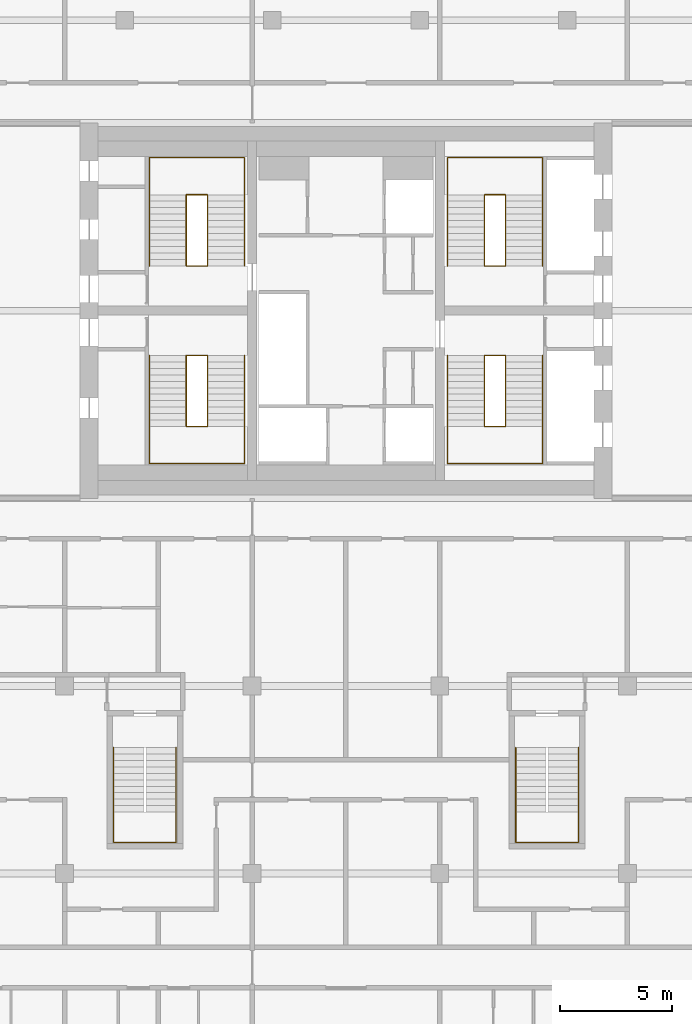
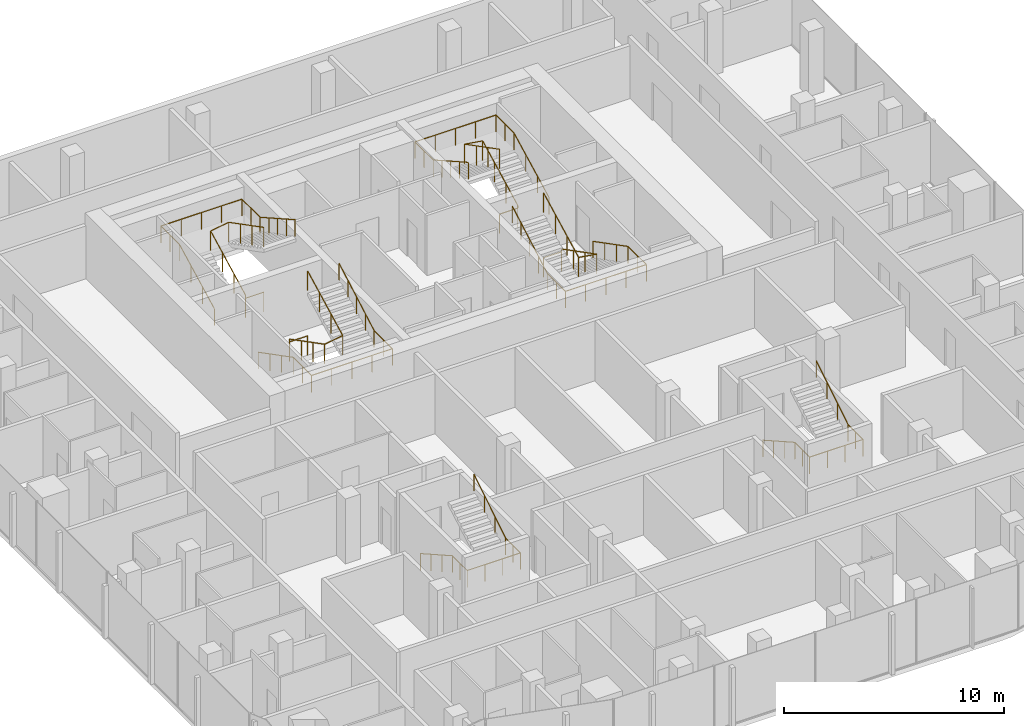
# One storey, part 22 of 22: 10 railings.
"""IFC4 building model written with IfcOpenShell, lengths in metres."""

from ifc_helpers import new_model, si_unit, direction, frame, origin, origin_2d, place, context, subcontext, project, spatial, circle, extrude, material, type_object, element, save


model = new_model("IFC4")

# Units and contexts
model_context = context("Model", 3, precision=1e-05, world=origin(), true_north=direction((0.0, 1.0)))
body_context = subcontext(model_context, "Body", "Model", "MODEL_VIEW")
ifc_project = project(units=[si_unit("LENGTHUNIT", "METRE"), si_unit("AREAUNIT", "SQUARE_METRE"), si_unit("VOLUMEUNIT", "CUBIC_METRE"), si_unit("PLANEANGLEUNIT", "RADIAN"), si_unit("MASSUNIT", "GRAM", prefix="KILO")], contexts=[model_context])

# Site, building, storey
site_placement = place(None, origin())
site = spatial("IfcSite", under=ifc_project, at=site_placement, CompositionType="ELEMENT")
building_placement = place(site_placement, origin())
building = spatial("IfcBuilding", under=site, at=building_placement, Name="Marenta Gate Hotel Tower", CompositionType="ELEMENT")
storey_placement = place(building_placement, frame((0.0, 0.0, 187.699951171875)))
storey = spatial("IfcBuildingStorey", under=building, at=storey_placement, Name="L42", CompositionType="ELEMENT", Elevation=187.699951171875)

# Railings
ifc_material_1 = material(Name="Stainless steel", Category="steel")
railing_type_1 = type_object("IfcRailingType", Name="Core stair handrail 950", PredefinedType="HANDRAIL", material=ifc_material_1)
railing_1_placement = place(storey_placement, frame((-8.800048828125, 6.39990234375, 0.150146484375)))
element("IfcRailing", 1, at=railing_1_placement, inside=storey, type_object=railing_type_1, Name="HR-950 L42-KR-ST1-1", PredefinedType="HANDRAIL", context=body_context, shape_type="SweptSolid", body=[
    extrude(circle(Radius=0.02392578125, at=origin_2d()), frame((0.0, 0.0, 0.92578125), z_axis=(0.0, -0.888225295554, 0.459408123936), x_axis=(1.0, 0.0, 0.0)), (0.0, 0.0, 1.0), 3.59130859375),
    extrude(circle(Radius=0.02392578125, at=origin_2d()), frame((0.0, -3.18994140625, 2.57568359375), z_axis=(0.0, -1.0, 0.0), x_axis=(1.0, 0.0, 0.0)), (0.0, 0.0, 1.0), 1.659912109375),
    extrude(circle(Radius=0.02392578125, at=origin_2d()), frame((0.0, -4.849853515625, 2.57568359375), z_axis=(1.0, 0.0, 0.0), x_axis=(0.0, 1.0, 0.0)), (0.0, 0.0, 1.0), 4.25),
    extrude(circle(Radius=0.02392578125, at=origin_2d()), frame((4.25, -4.849853515625, 2.57568359375), z_axis=(0.0, 1.0, 0.0), x_axis=(-1.0, 0.0, 0.0)), (0.0, 0.0, 1.0), 1.659912109375),
    extrude(circle(Radius=0.02392578125, at=origin_2d()), frame((4.25, -3.18994140625, 2.57568359375), z_axis=(0.0, 0.87090897868, 0.491444351738), x_axis=(-1.0, 0.0, 0.0)), (0.0, 0.0, 1.0), 3.662841796875),
    extrude(circle(Radius=0.02099609375, at=origin_2d()), origin(), (0.0, 0.0, 1.0), 0.90185546875),
    extrude(circle(Radius=0.02099609375, at=origin_2d()), frame((0.0, -1.063232421875, 0.550048828125)), (0.0, 0.0, 1.0), 0.90185546875),
    extrude(circle(Radius=0.02099609375, at=origin_2d()), frame((0.0, -2.126708984375, 1.099853515625)), (0.0, 0.0, 1.0), 0.90185546875),
    extrude(circle(Radius=0.02099609375, at=origin_2d()), frame((0.0, -3.18994140625, 1.64990234375)), (0.0, 0.0, 1.0), 0.90185546875),
    extrude(circle(Radius=0.02099609375, at=origin_2d()), frame((0.0, -4.02001953125, 1.64990234375)), (0.0, 0.0, 1.0), 0.90185546875),
    extrude(circle(Radius=0.02099609375, at=origin_2d()), frame((0.0, -4.849853515625, 1.64990234375)), (0.0, 0.0, 1.0), 0.90185546875),
    extrude(circle(Radius=0.02099609375, at=origin_2d()), frame((1.0625, -4.849853515625, 1.64990234375)), (0.0, 0.0, 1.0), 0.90185546875),
    extrude(circle(Radius=0.02099609375, at=origin_2d()), frame((2.125, -4.849853515625, 1.64990234375)), (0.0, 0.0, 1.0), 0.90185546875),
    extrude(circle(Radius=0.02099609375, at=origin_2d()), frame((3.1875, -4.849853515625, 1.64990234375)), (0.0, 0.0, 1.0), 0.90185546875),
    extrude(circle(Radius=0.02099609375, at=origin_2d()), frame((4.25, -4.849853515625, 1.64990234375)), (0.0, 0.0, 1.0), 0.90185546875),
    extrude(circle(Radius=0.02099609375, at=origin_2d()), frame((4.25, -4.02001953125, 1.64990234375)), (0.0, 0.0, 1.0), 0.90185546875),
    extrude(circle(Radius=0.02099609375, at=origin_2d()), frame((4.25, -3.18994140625, 1.64990234375)), (0.0, 0.0, 1.0), 0.90185546875),
    extrude(circle(Radius=0.02099609375, at=origin_2d()), frame((4.25, -2.392578125, 2.099853515625)), (0.0, 0.0, 1.0), 0.90185546875),
    extrude(circle(Radius=0.02099609375, at=origin_2d()), frame((4.25, -1.594970703125, 2.5498046875)), (0.0, 0.0, 1.0), 0.90185546875),
    extrude(circle(Radius=0.02099609375, at=origin_2d()), frame((4.25, -0.79736328125, 3.0)), (0.0, 0.0, 1.0), 0.90185546875),
    extrude(circle(Radius=0.02099609375, at=origin_2d()), frame((4.25, 0.0, 3.449951171875)), (0.0, 0.0, 1.0), 0.90185546875),
])
railing_2_placement = place(storey_placement, frame((-8.800048828125, 10.39990234375, 0.150146484375)))
element("IfcRailing", 2, at=railing_2_placement, inside=storey, type_object=railing_type_1, Name="HR-950 L42-KR-ST2-1", PredefinedType="HANDRAIL", context=body_context, shape_type="SweptSolid", body=[
    extrude(circle(Radius=0.02392578125, at=origin_2d()), frame((0.0, 0.0, 0.92578125), z_axis=(0.0, 0.888239641807, 0.459380385653), x_axis=(-1.0, 0.0, 0.0)), (0.0, 0.0, 1.0), 3.591552734375),
    extrude(circle(Radius=0.02392578125, at=origin_2d()), frame((0.0, 3.190185546875, 2.57568359375), z_axis=(0.0, 1.0, 0.0), x_axis=(-1.0, 0.0, 0.0)), (0.0, 0.0, 1.0), 1.659912109375),
    extrude(circle(Radius=0.02392578125, at=origin_2d()), frame((0.0, 4.85009765625, 2.57568359375), z_axis=(1.0, 0.0, 0.0), x_axis=(0.0, 1.0, 0.0)), (0.0, 0.0, 1.0), 4.25),
    extrude(circle(Radius=0.02392578125, at=origin_2d()), frame((4.25, 4.85009765625, 2.57568359375), z_axis=(0.0, -1.0, 0.0), x_axis=(1.0, 0.0, 0.0)), (0.0, 0.0, 1.0), 1.659912109375),
    extrude(circle(Radius=0.02392578125, at=origin_2d()), frame((4.25, 3.190185546875, 2.57568359375), z_axis=(0.0, -0.870925075533, 0.491415824742), x_axis=(1.0, 0.0, 0.0)), (0.0, 0.0, 1.0), 3.6630859375),
    extrude(circle(Radius=0.02099609375, at=origin_2d()), origin(), (0.0, 0.0, 1.0), 0.90185546875),
    extrude(circle(Radius=0.02099609375, at=origin_2d()), frame((0.0, 1.0634765625, 0.550048828125)), (0.0, 0.0, 1.0), 0.90185546875),
    extrude(circle(Radius=0.02099609375, at=origin_2d()), frame((0.0, 2.126708984375, 1.099853515625)), (0.0, 0.0, 1.0), 0.90185546875),
    extrude(circle(Radius=0.02099609375, at=origin_2d()), frame((0.0, 3.190185546875, 1.64990234375)), (0.0, 0.0, 1.0), 0.90185546875),
    extrude(circle(Radius=0.02099609375, at=origin_2d()), frame((0.0, 4.02001953125, 1.64990234375)), (0.0, 0.0, 1.0), 0.90185546875),
    extrude(circle(Radius=0.02099609375, at=origin_2d()), frame((0.0, 4.85009765625, 1.64990234375)), (0.0, 0.0, 1.0), 0.90185546875),
    extrude(circle(Radius=0.02099609375, at=origin_2d()), frame((1.0625, 4.85009765625, 1.64990234375)), (0.0, 0.0, 1.0), 0.90185546875),
    extrude(circle(Radius=0.02099609375, at=origin_2d()), frame((2.125, 4.85009765625, 1.64990234375)), (0.0, 0.0, 1.0), 0.90185546875),
    extrude(circle(Radius=0.02099609375, at=origin_2d()), frame((3.1875, 4.85009765625, 1.64990234375)), (0.0, 0.0, 1.0), 0.90185546875),
    extrude(circle(Radius=0.02099609375, at=origin_2d()), frame((4.25, 4.85009765625, 1.64990234375)), (0.0, 0.0, 1.0), 0.90185546875),
    extrude(circle(Radius=0.02099609375, at=origin_2d()), frame((4.25, 4.02001953125, 1.64990234375)), (0.0, 0.0, 1.0), 0.90185546875),
    extrude(circle(Radius=0.02099609375, at=origin_2d()), frame((4.25, 3.190185546875, 1.64990234375)), (0.0, 0.0, 1.0), 0.90185546875),
    extrude(circle(Radius=0.02099609375, at=origin_2d()), frame((4.25, 2.392578125, 2.099853515625)), (0.0, 0.0, 1.0), 0.90185546875),
    extrude(circle(Radius=0.02099609375, at=origin_2d()), frame((4.25, 1.59521484375, 2.5498046875)), (0.0, 0.0, 1.0), 0.90185546875),
    extrude(circle(Radius=0.02099609375, at=origin_2d()), frame((4.25, 0.797607421875, 3.0)), (0.0, 0.0, 1.0), 0.90185546875),
    extrude(circle(Radius=0.02099609375, at=origin_2d()), frame((4.25, 0.0, 3.449951171875)), (0.0, 0.0, 1.0), 0.90185546875),
])
railing_3_placement = place(storey_placement, frame((8.800048828125, 6.39990234375, 0.150146484375)))
element("IfcRailing", 3, at=railing_3_placement, inside=storey, type_object=railing_type_1, Name="HR-950 L42-KR-ST3-1", PredefinedType="HANDRAIL", context=body_context, shape_type="SweptSolid", body=[
    extrude(circle(Radius=0.02392578125, at=origin_2d()), frame((0.0, 0.0, 0.92578125), z_axis=(0.0, -0.888225295554, 0.459408123936), x_axis=(1.0, 0.0, 0.0)), (0.0, 0.0, 1.0), 3.59130859375),
    extrude(circle(Radius=0.02392578125, at=origin_2d()), frame((0.0, -3.18994140625, 2.57568359375), z_axis=(0.0, -1.0, 0.0), x_axis=(1.0, 0.0, 0.0)), (0.0, 0.0, 1.0), 1.659912109375),
    extrude(circle(Radius=0.02392578125, at=origin_2d()), frame((0.0, -4.849853515625, 2.57568359375), z_axis=(-1.0, 0.0, 0.0), x_axis=(0.0, -1.0, 0.0)), (0.0, 0.0, 1.0), 4.25),
    extrude(circle(Radius=0.02392578125, at=origin_2d()), frame((-4.25, -4.849853515625, 2.57568359375), z_axis=(0.0, 1.0, 0.0), x_axis=(-1.0, 0.0, 0.0)), (0.0, 0.0, 1.0), 1.659912109375),
    extrude(circle(Radius=0.02392578125, at=origin_2d()), frame((-4.25, -3.18994140625, 2.57568359375), z_axis=(0.0, 0.87090897868, 0.491444351738), x_axis=(-1.0, 0.0, 0.0)), (0.0, 0.0, 1.0), 3.662841796875),
    extrude(circle(Radius=0.02099609375, at=origin_2d()), origin(), (0.0, 0.0, 1.0), 0.90185546875),
    extrude(circle(Radius=0.02099609375, at=origin_2d()), frame((0.0, -1.063232421875, 0.550048828125)), (0.0, 0.0, 1.0), 0.90185546875),
    extrude(circle(Radius=0.02099609375, at=origin_2d()), frame((0.0, -2.126708984375, 1.099853515625)), (0.0, 0.0, 1.0), 0.90185546875),
    extrude(circle(Radius=0.02099609375, at=origin_2d()), frame((0.0, -3.18994140625, 1.64990234375)), (0.0, 0.0, 1.0), 0.90185546875),
    extrude(circle(Radius=0.02099609375, at=origin_2d()), frame((0.0, -4.02001953125, 1.64990234375)), (0.0, 0.0, 1.0), 0.90185546875),
    extrude(circle(Radius=0.02099609375, at=origin_2d()), frame((0.0, -4.849853515625, 1.64990234375)), (0.0, 0.0, 1.0), 0.90185546875),
    extrude(circle(Radius=0.02099609375, at=origin_2d()), frame((-1.0625, -4.849853515625, 1.64990234375)), (0.0, 0.0, 1.0), 0.90185546875),
    extrude(circle(Radius=0.02099609375, at=origin_2d()), frame((-2.125, -4.849853515625, 1.64990234375)), (0.0, 0.0, 1.0), 0.90185546875),
    extrude(circle(Radius=0.02099609375, at=origin_2d()), frame((-3.1875, -4.849853515625, 1.64990234375)), (0.0, 0.0, 1.0), 0.90185546875),
    extrude(circle(Radius=0.02099609375, at=origin_2d()), frame((-4.25, -4.849853515625, 1.64990234375)), (0.0, 0.0, 1.0), 0.90185546875),
    extrude(circle(Radius=0.02099609375, at=origin_2d()), frame((-4.25, -4.02001953125, 1.64990234375)), (0.0, 0.0, 1.0), 0.90185546875),
    extrude(circle(Radius=0.02099609375, at=origin_2d()), frame((-4.25, -3.18994140625, 1.64990234375)), (0.0, 0.0, 1.0), 0.90185546875),
    extrude(circle(Radius=0.02099609375, at=origin_2d()), frame((-4.25, -2.392578125, 2.099853515625)), (0.0, 0.0, 1.0), 0.90185546875),
    extrude(circle(Radius=0.02099609375, at=origin_2d()), frame((-4.25, -1.594970703125, 2.5498046875)), (0.0, 0.0, 1.0), 0.90185546875),
    extrude(circle(Radius=0.02099609375, at=origin_2d()), frame((-4.25, -0.79736328125, 3.0)), (0.0, 0.0, 1.0), 0.90185546875),
    extrude(circle(Radius=0.02099609375, at=origin_2d()), frame((-4.25, 0.0, 3.449951171875)), (0.0, 0.0, 1.0), 0.90185546875),
])
railing_4_placement = place(storey_placement, frame((8.800048828125, 10.39990234375, 0.150146484375)))
element("IfcRailing", 4, at=railing_4_placement, inside=storey, type_object=railing_type_1, Name="HR-950 L42-KR-ST4-1", PredefinedType="HANDRAIL", context=body_context, shape_type="SweptSolid", body=[
    extrude(circle(Radius=0.02392578125, at=origin_2d()), frame((0.0, 0.0, 0.92578125), z_axis=(0.0, 0.888239641807, 0.459380385653), x_axis=(-1.0, 0.0, 0.0)), (0.0, 0.0, 1.0), 3.591552734375),
    extrude(circle(Radius=0.02392578125, at=origin_2d()), frame((0.0, 3.190185546875, 2.57568359375), z_axis=(0.0, 1.0, 0.0), x_axis=(-1.0, 0.0, 0.0)), (0.0, 0.0, 1.0), 1.659912109375),
    extrude(circle(Radius=0.02392578125, at=origin_2d()), frame((0.0, 4.85009765625, 2.57568359375), z_axis=(-1.0, 0.0, 0.0), x_axis=(0.0, -1.0, 0.0)), (0.0, 0.0, 1.0), 4.25),
    extrude(circle(Radius=0.02392578125, at=origin_2d()), frame((-4.25, 4.85009765625, 2.57568359375), z_axis=(0.0, -1.0, 0.0), x_axis=(1.0, 0.0, 0.0)), (0.0, 0.0, 1.0), 1.659912109375),
    extrude(circle(Radius=0.02392578125, at=origin_2d()), frame((-4.25, 3.190185546875, 2.57568359375), z_axis=(0.0, -0.870925075533, 0.491415824742), x_axis=(1.0, 0.0, 0.0)), (0.0, 0.0, 1.0), 3.6630859375),
    extrude(circle(Radius=0.02099609375, at=origin_2d()), origin(), (0.0, 0.0, 1.0), 0.90185546875),
    extrude(circle(Radius=0.02099609375, at=origin_2d()), frame((0.0, 1.0634765625, 0.550048828125)), (0.0, 0.0, 1.0), 0.90185546875),
    extrude(circle(Radius=0.02099609375, at=origin_2d()), frame((0.0, 2.126708984375, 1.099853515625)), (0.0, 0.0, 1.0), 0.90185546875),
    extrude(circle(Radius=0.02099609375, at=origin_2d()), frame((0.0, 3.190185546875, 1.64990234375)), (0.0, 0.0, 1.0), 0.90185546875),
    extrude(circle(Radius=0.02099609375, at=origin_2d()), frame((0.0, 4.02001953125, 1.64990234375)), (0.0, 0.0, 1.0), 0.90185546875),
    extrude(circle(Radius=0.02099609375, at=origin_2d()), frame((0.0, 4.85009765625, 1.64990234375)), (0.0, 0.0, 1.0), 0.90185546875),
    extrude(circle(Radius=0.02099609375, at=origin_2d()), frame((-1.0625, 4.85009765625, 1.64990234375)), (0.0, 0.0, 1.0), 0.90185546875),
    extrude(circle(Radius=0.02099609375, at=origin_2d()), frame((-2.125, 4.85009765625, 1.64990234375)), (0.0, 0.0, 1.0), 0.90185546875),
    extrude(circle(Radius=0.02099609375, at=origin_2d()), frame((-3.1875, 4.85009765625, 1.64990234375)), (0.0, 0.0, 1.0), 0.90185546875),
    extrude(circle(Radius=0.02099609375, at=origin_2d()), frame((-4.25, 4.85009765625, 1.64990234375)), (0.0, 0.0, 1.0), 0.90185546875),
    extrude(circle(Radius=0.02099609375, at=origin_2d()), frame((-4.25, 4.02001953125, 1.64990234375)), (0.0, 0.0, 1.0), 0.90185546875),
    extrude(circle(Radius=0.02099609375, at=origin_2d()), frame((-4.25, 3.190185546875, 1.64990234375)), (0.0, 0.0, 1.0), 0.90185546875),
    extrude(circle(Radius=0.02099609375, at=origin_2d()), frame((-4.25, 2.392578125, 2.099853515625)), (0.0, 0.0, 1.0), 0.90185546875),
    extrude(circle(Radius=0.02099609375, at=origin_2d()), frame((-4.25, 1.59521484375, 2.5498046875)), (0.0, 0.0, 1.0), 0.90185546875),
    extrude(circle(Radius=0.02099609375, at=origin_2d()), frame((-4.25, 0.797607421875, 3.0)), (0.0, 0.0, 1.0), 0.90185546875),
    extrude(circle(Radius=0.02099609375, at=origin_2d()), frame((-4.25, 0.0, 3.449951171875)), (0.0, 0.0, 1.0), 0.90185546875),
])
railing_5_placement = place(storey_placement, frame((-10.39990234375, -11.14990234375, 0.16357421875)))
element("IfcRailing", 5, at=railing_5_placement, inside=storey, type_object=railing_type_1, Name="HR-950 L42-RS-Z3-1-KR-1", PredefinedType="HANDRAIL", context=body_context, shape_type="SweptSolid", body=[
    extrude(circle(Radius=0.02392578125, at=origin_2d()), frame((0.0, 0.0, 0.92578125), z_axis=(0.0, -0.870914908162, 0.491433843708), x_axis=(1.0, 0.0, 0.0)), (0.0, 0.0, 1.0), 3.330078125),
    extrude(circle(Radius=0.02392578125, at=origin_2d()), frame((0.0, -2.900146484375, 2.5625), z_axis=(0.0, -1.0, 0.0), x_axis=(1.0, 0.0, 0.0)), (0.0, 0.0, 1.0), 1.349853515625),
    extrude(circle(Radius=0.02392578125, at=origin_2d()), frame((0.0, -4.25, 2.5625), z_axis=(1.0, 0.0, 0.0), x_axis=(0.0, 1.0, 0.0)), (0.0, 0.0, 1.0), 2.7998046875),
    extrude(circle(Radius=0.02392578125, at=origin_2d()), frame((2.7998046875, -4.25, 2.5625), z_axis=(0.0, 1.0, 0.0), x_axis=(-1.0, 0.0, 0.0)), (0.0, 0.0, 1.0), 1.349853515625),
    extrude(circle(Radius=0.02392578125, at=origin_2d()), frame((2.7998046875, -2.900146484375, 2.5625), z_axis=(0.0, 0.849645691689, 0.527353959494), x_axis=(-1.0, 0.0, 0.0)), (0.0, 0.0, 1.0), 3.413330078125),
    extrude(circle(Radius=0.02099609375, at=origin_2d()), origin(), (0.0, 0.0, 1.0), 0.90185546875),
    extrude(circle(Radius=0.02099609375, at=origin_2d()), frame((0.0, -0.966796875, 0.54541015625)), (0.0, 0.0, 1.0), 0.90185546875),
    extrude(circle(Radius=0.02099609375, at=origin_2d()), frame((0.0, -1.933349609375, 1.091064453125)), (0.0, 0.0, 1.0), 0.90185546875),
    extrude(circle(Radius=0.02099609375, at=origin_2d()), frame((0.0, -2.900146484375, 1.636474609375)), (0.0, 0.0, 1.0), 0.90185546875),
    extrude(circle(Radius=0.02099609375, at=origin_2d()), frame((0.0, -3.5751953125, 1.636474609375)), (0.0, 0.0, 1.0), 0.90185546875),
    extrude(circle(Radius=0.02099609375, at=origin_2d()), frame((0.0, -4.25, 1.636474609375)), (0.0, 0.0, 1.0), 0.90185546875),
    extrude(circle(Radius=0.02099609375, at=origin_2d()), frame((0.933349609375, -4.25, 1.636474609375)), (0.0, 0.0, 1.0), 0.90185546875),
    extrude(circle(Radius=0.02099609375, at=origin_2d()), frame((1.866455078125, -4.25, 1.636474609375)), (0.0, 0.0, 1.0), 0.90185546875),
    extrude(circle(Radius=0.02099609375, at=origin_2d()), frame((2.7998046875, -4.25, 1.636474609375)), (0.0, 0.0, 1.0), 0.90185546875),
    extrude(circle(Radius=0.02099609375, at=origin_2d()), frame((2.7998046875, -3.5751953125, 1.636474609375)), (0.0, 0.0, 1.0), 0.90185546875),
    extrude(circle(Radius=0.02099609375, at=origin_2d()), frame((2.7998046875, -2.900146484375, 1.636474609375)), (0.0, 0.0, 1.0), 0.90185546875),
    extrude(circle(Radius=0.02099609375, at=origin_2d()), frame((2.7998046875, -1.933349609375, 2.236572265625)), (0.0, 0.0, 1.0), 0.90185546875),
    extrude(circle(Radius=0.02099609375, at=origin_2d()), frame((2.7998046875, -0.966796875, 2.83642578125)), (0.0, 0.0, 1.0), 0.90185546875),
    extrude(circle(Radius=0.02099609375, at=origin_2d()), frame((2.7998046875, 0.0, 3.4365234375)), (0.0, 0.0, 1.0), 0.90185546875),
])
railing_6_placement = place(storey_placement, frame((7.60009765625, -11.14990234375, 0.16357421875)))
element("IfcRailing", 6, at=railing_6_placement, inside=storey, type_object=railing_type_1, Name="HR-950 L42-RS-Z3-2-KR-1", PredefinedType="HANDRAIL", context=body_context, shape_type="SweptSolid", body=[
    extrude(circle(Radius=0.02392578125, at=origin_2d()), frame((0.0, 0.0, 0.92578125), z_axis=(0.0, -0.870914908162, 0.491433843708), x_axis=(1.0, 0.0, 0.0)), (0.0, 0.0, 1.0), 3.330078125),
    extrude(circle(Radius=0.02392578125, at=origin_2d()), frame((0.0, -2.900146484375, 2.5625), z_axis=(0.0, -1.0, 0.0), x_axis=(1.0, 0.0, 0.0)), (0.0, 0.0, 1.0), 1.349853515625),
    extrude(circle(Radius=0.02392578125, at=origin_2d()), frame((0.0, -4.25, 2.5625), z_axis=(1.0, 0.0, 0.0), x_axis=(0.0, 1.0, 0.0)), (0.0, 0.0, 1.0), 2.7998046875),
    extrude(circle(Radius=0.02392578125, at=origin_2d()), frame((2.7998046875, -4.25, 2.5625), z_axis=(0.0, 1.0, 0.0), x_axis=(-1.0, 0.0, 0.0)), (0.0, 0.0, 1.0), 1.349853515625),
    extrude(circle(Radius=0.02392578125, at=origin_2d()), frame((2.7998046875, -2.900146484375, 2.5625), z_axis=(0.0, 0.849645691689, 0.527353959494), x_axis=(-1.0, 0.0, 0.0)), (0.0, 0.0, 1.0), 3.413330078125),
    extrude(circle(Radius=0.02099609375, at=origin_2d()), origin(), (0.0, 0.0, 1.0), 0.90185546875),
    extrude(circle(Radius=0.02099609375, at=origin_2d()), frame((0.0, -0.966796875, 0.54541015625)), (0.0, 0.0, 1.0), 0.90185546875),
    extrude(circle(Radius=0.02099609375, at=origin_2d()), frame((0.0, -1.933349609375, 1.091064453125)), (0.0, 0.0, 1.0), 0.90185546875),
    extrude(circle(Radius=0.02099609375, at=origin_2d()), frame((0.0, -2.900146484375, 1.636474609375)), (0.0, 0.0, 1.0), 0.90185546875),
    extrude(circle(Radius=0.02099609375, at=origin_2d()), frame((0.0, -3.5751953125, 1.636474609375)), (0.0, 0.0, 1.0), 0.90185546875),
    extrude(circle(Radius=0.02099609375, at=origin_2d()), frame((0.0, -4.25, 1.636474609375)), (0.0, 0.0, 1.0), 0.90185546875),
    extrude(circle(Radius=0.02099609375, at=origin_2d()), frame((0.933349609375, -4.25, 1.636474609375)), (0.0, 0.0, 1.0), 0.90185546875),
    extrude(circle(Radius=0.02099609375, at=origin_2d()), frame((1.866455078125, -4.25, 1.636474609375)), (0.0, 0.0, 1.0), 0.90185546875),
    extrude(circle(Radius=0.02099609375, at=origin_2d()), frame((2.7998046875, -4.25, 1.636474609375)), (0.0, 0.0, 1.0), 0.90185546875),
    extrude(circle(Radius=0.02099609375, at=origin_2d()), frame((2.7998046875, -3.5751953125, 1.636474609375)), (0.0, 0.0, 1.0), 0.90185546875),
    extrude(circle(Radius=0.02099609375, at=origin_2d()), frame((2.7998046875, -2.900146484375, 1.636474609375)), (0.0, 0.0, 1.0), 0.90185546875),
    extrude(circle(Radius=0.02099609375, at=origin_2d()), frame((2.7998046875, -1.933349609375, 2.236572265625)), (0.0, 0.0, 1.0), 0.90185546875),
    extrude(circle(Radius=0.02099609375, at=origin_2d()), frame((2.7998046875, -0.966796875, 2.83642578125)), (0.0, 0.0, 1.0), 0.90185546875),
    extrude(circle(Radius=0.02099609375, at=origin_2d()), frame((2.7998046875, 0.0, 3.4365234375)), (0.0, 0.0, 1.0), 0.90185546875),
])
ifc_material_2 = material(Name="Stainless steel", Category="steel")
railing_type_2 = type_object("IfcRailingType", Name="Core stair well guard 1100", PredefinedType="GUARDRAIL", material=ifc_material_2)
railing_7_placement = place(storey_placement, frame((-6.199951171875, 6.39990234375, 0.0)))
element("IfcRailing", 7, at=railing_7_placement, inside=storey, type_object=railing_type_2, Name="GR-1100 L42-KR-ST1-2", PredefinedType="GUARDRAIL", context=body_context, shape_type="SweptSolid", body=[
    extrude(circle(Radius=0.02392578125, at=origin_2d()), frame((0.0, 0.0, 1.076171875), z_axis=(-1.0, 0.0, 0.0), x_axis=(0.0, -1.0, 0.0)), (0.0, 0.0, 1.0), 0.949951171875),
    extrude(circle(Radius=0.02392578125, at=origin_2d()), frame((-0.949951171875, 0.0, 1.076171875), z_axis=(0.0, 0.0, 1.0), x_axis=(1.0, 0.0, 0.0)), (0.0, 0.0, 1.0), 0.150146484375),
    extrude(circle(Radius=0.02392578125, at=origin_2d()), frame((-0.949951171875, 0.0, 1.22607421875), z_axis=(0.0, -0.888225295554, 0.459408123936), x_axis=(1.0, 0.0, 0.0)), (0.0, 0.0, 1.0), 3.59130859375),
    extrude(circle(Radius=0.02392578125, at=origin_2d()), frame((-0.949951171875, -3.18994140625, 2.8759765625), z_axis=(0.987777369502, 0.0, 0.15587131968), x_axis=(0.0, 1.0, 0.0)), (0.0, 0.0, 1.0), 0.961669921875),
    extrude(circle(Radius=0.02392578125, at=origin_2d()), frame((0.0, -3.18994140625, 3.02587890625), z_axis=(0.0, 0.888197555067, 0.459461753765), x_axis=(-1.0, 0.0, 0.0)), (0.0, 0.0, 1.0), 3.591552734375),
    extrude(circle(Radius=0.02099609375, at=origin_2d()), origin(), (0.0, 0.0, 1.0), 1.052001953125),
    extrude(circle(Radius=0.02099609375, at=origin_2d()), frame((-0.949951171875, 0.0, 0.0)), (0.0, 0.0, 1.0), 1.052001953125),
    extrude(circle(Radius=0.02099609375, at=origin_2d()), frame((-0.949951171875, 0.0, 0.150146484375)), (0.0, 0.0, 1.0), 1.052001953125),
    extrude(circle(Radius=0.02099609375, at=origin_2d()), frame((-0.949951171875, -1.063232421875, 0.7001953125)), (0.0, 0.0, 1.0), 1.052001953125),
    extrude(circle(Radius=0.02099609375, at=origin_2d()), frame((-0.949951171875, -2.126708984375, 1.25)), (0.0, 0.0, 1.0), 1.052001953125),
    extrude(circle(Radius=0.02099609375, at=origin_2d()), frame((-0.949951171875, -3.18994140625, 1.800048828125)), (0.0, 0.0, 1.0), 1.052001953125),
    extrude(circle(Radius=0.02099609375, at=origin_2d()), frame((0.0, -3.18994140625, 1.949951171875)), (0.0, 0.0, 1.0), 1.052001953125),
    extrude(circle(Radius=0.02099609375, at=origin_2d()), frame((0.0, -2.126708984375, 2.5)), (0.0, 0.0, 1.0), 1.052001953125),
    extrude(circle(Radius=0.02099609375, at=origin_2d()), frame((0.0, -1.063232421875, 3.050048828125)), (0.0, 0.0, 1.0), 1.052001953125),
    extrude(circle(Radius=0.02099609375, at=origin_2d()), frame((0.0, 0.0, 3.60009765625)), (0.0, 0.0, 1.0), 1.052001953125),
])
railing_8_placement = place(storey_placement, frame((-6.199951171875, 10.39990234375, 0.0)))
element("IfcRailing", 8, at=railing_8_placement, inside=storey, type_object=railing_type_2, Name="GR-1100 L42-KR-ST2-2", PredefinedType="GUARDRAIL", context=body_context, shape_type="SweptSolid", body=[
    extrude(circle(Radius=0.02392578125, at=origin_2d()), frame((0.0, 0.0, 1.076171875), z_axis=(-1.0, 0.0, 0.0), x_axis=(0.0, -1.0, 0.0)), (0.0, 0.0, 1.0), 0.949951171875),
    extrude(circle(Radius=0.02392578125, at=origin_2d()), frame((-0.949951171875, 0.0, 1.076171875), z_axis=(0.0, 0.0, 1.0), x_axis=(1.0, 0.0, 0.0)), (0.0, 0.0, 1.0), 0.150146484375),
    extrude(circle(Radius=0.02392578125, at=origin_2d()), frame((-0.949951171875, 0.0, 1.22607421875), z_axis=(0.0, 0.888239641807, 0.459380385653), x_axis=(-1.0, 0.0, 0.0)), (0.0, 0.0, 1.0), 3.591552734375),
    extrude(circle(Radius=0.02392578125, at=origin_2d()), frame((-0.949951171875, 3.190185546875, 2.8759765625), z_axis=(0.987777369502, 0.0, 0.15587131968), x_axis=(0.0, 1.0, 0.0)), (0.0, 0.0, 1.0), 0.961669921875),
    extrude(circle(Radius=0.02392578125, at=origin_2d()), frame((0.0, 3.190185546875, 3.02587890625), z_axis=(0.0, -0.888211904222, 0.459434013977), x_axis=(1.0, 0.0, 0.0)), (0.0, 0.0, 1.0), 3.591796875),
    extrude(circle(Radius=0.02099609375, at=origin_2d()), origin(), (0.0, 0.0, 1.0), 1.052001953125),
    extrude(circle(Radius=0.02099609375, at=origin_2d()), frame((-0.949951171875, 0.0, 0.0)), (0.0, 0.0, 1.0), 1.052001953125),
    extrude(circle(Radius=0.02099609375, at=origin_2d()), frame((-0.949951171875, 0.0, 0.150146484375)), (0.0, 0.0, 1.0), 1.052001953125),
    extrude(circle(Radius=0.02099609375, at=origin_2d()), frame((-0.949951171875, 1.0634765625, 0.7001953125)), (0.0, 0.0, 1.0), 1.052001953125),
    extrude(circle(Radius=0.02099609375, at=origin_2d()), frame((-0.949951171875, 2.126708984375, 1.25)), (0.0, 0.0, 1.0), 1.052001953125),
    extrude(circle(Radius=0.02099609375, at=origin_2d()), frame((-0.949951171875, 3.190185546875, 1.800048828125)), (0.0, 0.0, 1.0), 1.052001953125),
    extrude(circle(Radius=0.02099609375, at=origin_2d()), frame((0.0, 3.190185546875, 1.949951171875)), (0.0, 0.0, 1.0), 1.052001953125),
    extrude(circle(Radius=0.02099609375, at=origin_2d()), frame((0.0, 2.126708984375, 2.5)), (0.0, 0.0, 1.0), 1.052001953125),
    extrude(circle(Radius=0.02099609375, at=origin_2d()), frame((0.0, 1.0634765625, 3.050048828125)), (0.0, 0.0, 1.0), 1.052001953125),
    extrude(circle(Radius=0.02099609375, at=origin_2d()), frame((0.0, 0.0, 3.60009765625)), (0.0, 0.0, 1.0), 1.052001953125),
])
railing_9_placement = place(storey_placement, frame((6.199951171875, 6.39990234375, 0.0)))
element("IfcRailing", 9, at=railing_9_placement, inside=storey, type_object=railing_type_2, Name="GR-1100 L42-KR-ST3-2", PredefinedType="GUARDRAIL", context=body_context, shape_type="SweptSolid", body=[
    extrude(circle(Radius=0.02392578125, at=origin_2d()), frame((0.0, 0.0, 1.076171875), z_axis=(1.0, 0.0, 0.0), x_axis=(0.0, 1.0, 0.0)), (0.0, 0.0, 1.0), 0.949951171875),
    extrude(circle(Radius=0.02392578125, at=origin_2d()), frame((0.949951171875, 0.0, 1.076171875), z_axis=(0.0, 0.0, 1.0), x_axis=(1.0, 0.0, 0.0)), (0.0, 0.0, 1.0), 0.150146484375),
    extrude(circle(Radius=0.02392578125, at=origin_2d()), frame((0.949951171875, 0.0, 1.22607421875), z_axis=(0.0, -0.888225295554, 0.459408123936), x_axis=(1.0, 0.0, 0.0)), (0.0, 0.0, 1.0), 3.59130859375),
    extrude(circle(Radius=0.02392578125, at=origin_2d()), frame((0.949951171875, -3.18994140625, 2.8759765625), z_axis=(-0.987777369502, 0.0, 0.15587131968), x_axis=(0.0, -1.0, 0.0)), (0.0, 0.0, 1.0), 0.961669921875),
    extrude(circle(Radius=0.02392578125, at=origin_2d()), frame((0.0, -3.18994140625, 3.02587890625), z_axis=(0.0, 0.888197555067, 0.459461753765), x_axis=(-1.0, 0.0, 0.0)), (0.0, 0.0, 1.0), 3.591552734375),
    extrude(circle(Radius=0.02099609375, at=origin_2d()), origin(), (0.0, 0.0, 1.0), 1.052001953125),
    extrude(circle(Radius=0.02099609375, at=origin_2d()), frame((0.949951171875, 0.0, 0.0)), (0.0, 0.0, 1.0), 1.052001953125),
    extrude(circle(Radius=0.02099609375, at=origin_2d()), frame((0.949951171875, 0.0, 0.150146484375)), (0.0, 0.0, 1.0), 1.052001953125),
    extrude(circle(Radius=0.02099609375, at=origin_2d()), frame((0.949951171875, -1.063232421875, 0.7001953125)), (0.0, 0.0, 1.0), 1.052001953125),
    extrude(circle(Radius=0.02099609375, at=origin_2d()), frame((0.949951171875, -2.126708984375, 1.25)), (0.0, 0.0, 1.0), 1.052001953125),
    extrude(circle(Radius=0.02099609375, at=origin_2d()), frame((0.949951171875, -3.18994140625, 1.800048828125)), (0.0, 0.0, 1.0), 1.052001953125),
    extrude(circle(Radius=0.02099609375, at=origin_2d()), frame((0.0, -3.18994140625, 1.949951171875)), (0.0, 0.0, 1.0), 1.052001953125),
    extrude(circle(Radius=0.02099609375, at=origin_2d()), frame((0.0, -2.126708984375, 2.5)), (0.0, 0.0, 1.0), 1.052001953125),
    extrude(circle(Radius=0.02099609375, at=origin_2d()), frame((0.0, -1.063232421875, 3.050048828125)), (0.0, 0.0, 1.0), 1.052001953125),
    extrude(circle(Radius=0.02099609375, at=origin_2d()), frame((0.0, 0.0, 3.60009765625)), (0.0, 0.0, 1.0), 1.052001953125),
])
railing_10_placement = place(storey_placement, frame((6.199951171875, 10.39990234375, 0.0)))
element("IfcRailing", 10, at=railing_10_placement, inside=storey, type_object=railing_type_2, Name="GR-1100 L42-KR-ST4-2", PredefinedType="GUARDRAIL", context=body_context, shape_type="SweptSolid", body=[
    extrude(circle(Radius=0.02392578125, at=origin_2d()), frame((0.0, 0.0, 1.076171875), z_axis=(1.0, 0.0, 0.0), x_axis=(0.0, 1.0, 0.0)), (0.0, 0.0, 1.0), 0.949951171875),
    extrude(circle(Radius=0.02392578125, at=origin_2d()), frame((0.949951171875, 0.0, 1.076171875), z_axis=(0.0, 0.0, 1.0), x_axis=(1.0, 0.0, 0.0)), (0.0, 0.0, 1.0), 0.150146484375),
    extrude(circle(Radius=0.02392578125, at=origin_2d()), frame((0.949951171875, 0.0, 1.22607421875), z_axis=(0.0, 0.888239641807, 0.459380385653), x_axis=(-1.0, 0.0, 0.0)), (0.0, 0.0, 1.0), 3.591552734375),
    extrude(circle(Radius=0.02392578125, at=origin_2d()), frame((0.949951171875, 3.190185546875, 2.8759765625), z_axis=(-0.987777369502, 0.0, 0.15587131968), x_axis=(0.0, -1.0, 0.0)), (0.0, 0.0, 1.0), 0.961669921875),
    extrude(circle(Radius=0.02392578125, at=origin_2d()), frame((0.0, 3.190185546875, 3.02587890625), z_axis=(0.0, -0.888211904222, 0.459434013977), x_axis=(1.0, 0.0, 0.0)), (0.0, 0.0, 1.0), 3.591796875),
    extrude(circle(Radius=0.02099609375, at=origin_2d()), origin(), (0.0, 0.0, 1.0), 1.052001953125),
    extrude(circle(Radius=0.02099609375, at=origin_2d()), frame((0.949951171875, 0.0, 0.0)), (0.0, 0.0, 1.0), 1.052001953125),
    extrude(circle(Radius=0.02099609375, at=origin_2d()), frame((0.949951171875, 0.0, 0.150146484375)), (0.0, 0.0, 1.0), 1.052001953125),
    extrude(circle(Radius=0.02099609375, at=origin_2d()), frame((0.949951171875, 1.0634765625, 0.7001953125)), (0.0, 0.0, 1.0), 1.052001953125),
    extrude(circle(Radius=0.02099609375, at=origin_2d()), frame((0.949951171875, 2.126708984375, 1.25)), (0.0, 0.0, 1.0), 1.052001953125),
    extrude(circle(Radius=0.02099609375, at=origin_2d()), frame((0.949951171875, 3.190185546875, 1.800048828125)), (0.0, 0.0, 1.0), 1.052001953125),
    extrude(circle(Radius=0.02099609375, at=origin_2d()), frame((0.0, 3.190185546875, 1.949951171875)), (0.0, 0.0, 1.0), 1.052001953125),
    extrude(circle(Radius=0.02099609375, at=origin_2d()), frame((0.0, 2.126708984375, 2.5)), (0.0, 0.0, 1.0), 1.052001953125),
    extrude(circle(Radius=0.02099609375, at=origin_2d()), frame((0.0, 1.0634765625, 3.050048828125)), (0.0, 0.0, 1.0), 1.052001953125),
    extrude(circle(Radius=0.02099609375, at=origin_2d()), frame((0.0, 0.0, 3.60009765625)), (0.0, 0.0, 1.0), 1.052001953125),
])

save(model, "model.ifc")
